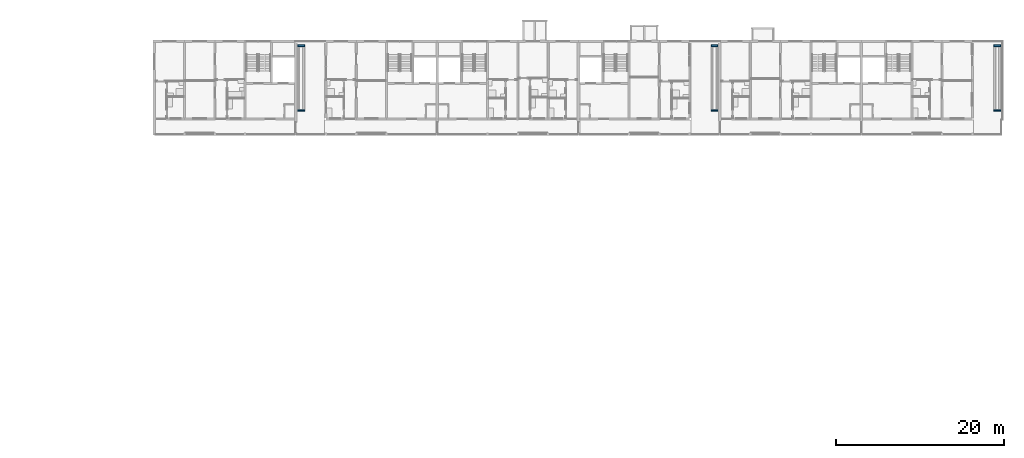
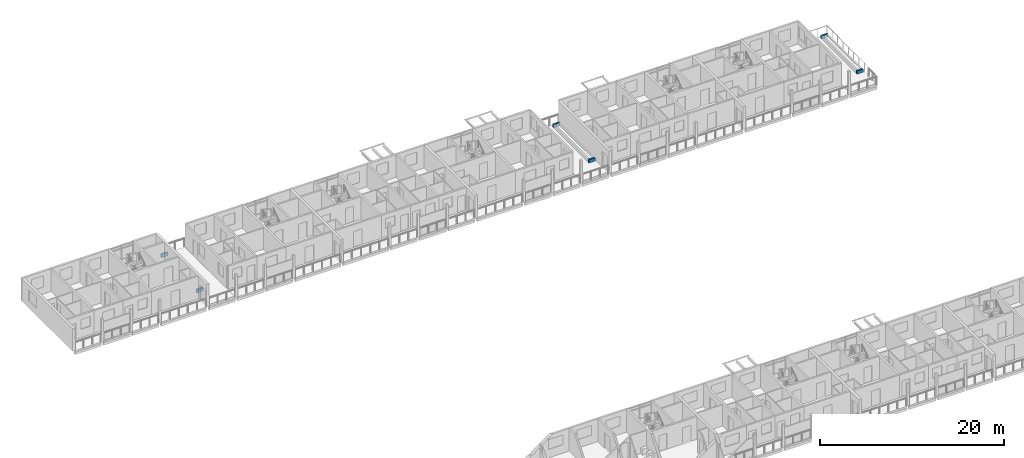
# One storey, part 59 of 94: 6 walls.
"""IFC4 building model written with IfcOpenShell, lengths in metres."""

from ifc_helpers import new_model, si_unit, direction, frame, frame_2d, origin, place, context, subcontext, project, spatial, rectangle, extrude, material, layer, layer_set, type_object, element, save


model = new_model("IFC4")

# Units and contexts
model_context = context("Model", 3, precision=1e-05, world=origin(), true_north=direction((0.0, 1.0)))
body_context = subcontext(model_context, "Body", "Model", "MODEL_VIEW")
ifc_project = project(units=[si_unit("LENGTHUNIT", "METRE"), si_unit("AREAUNIT", "SQUARE_METRE"), si_unit("VOLUMEUNIT", "CUBIC_METRE"), si_unit("PLANEANGLEUNIT", "RADIAN"), si_unit("MASSUNIT", "GRAM", prefix="KILO")], contexts=[model_context])

# Site, building, storey
site_placement = place(None, origin())
site = spatial("IfcSite", under=ifc_project, at=site_placement, CompositionType="ELEMENT")
building_placement = place(site_placement, origin())
building = spatial("IfcBuilding", under=site, at=building_placement, Name="Ridgestep Commons", CompositionType="ELEMENT")
storey_placement = place(building_placement, frame((0.0, 0.0, 21.0)))
storey = spatial("IfcBuildingStorey", under=building, at=storey_placement, Name="L07", CompositionType="ELEMENT", Elevation=21.0)

# Walls
ifc_material = material(Name="Facing brick", Category="masonry")
ifc_layer = layer(ifc_material, 0.199951171875)
ifc_layer_set = layer_set([ifc_layer], Name="Planter wall 200")
wall_type = type_object("IfcWallType", Name="Planter wall 200", PredefinedType="SOLIDWALL", material=ifc_layer_set)
for number, where, z_axis, x_axis, name in (
    (1, (163.85009765625, 68.89990234375, 0.010009765625), (0.0, 0.0, 1.0), (1.0, 0.0, 0.0), "Planter wall C2R1S"),
    (2, (163.85009765625, 76.60009765625, 0.010009765625), (0.0, 0.0, 1.0), (1.0, 0.0, 0.0), "Planter wall C2R1N"),
):
    element("IfcWall", number, at=place(storey_placement, frame(where, z_axis=z_axis, x_axis=x_axis)), inside=storey, type_object=wall_type, Name=name, PredefinedType="SOLIDWALL", context=body_context, shape_type="SweptSolid", body=[
        extrude(rectangle(XDim=0.7998046875, YDim=0.199951171875, at=frame_2d((0.39990234375, 0.0))), origin(), (0.0, 0.0, 1.0), 0.449951171875),
    ])
for number, where, z_axis, x_axis, name in (
    (3, (212.949951171875, 68.89990234375, 0.010009765625), (0.0, 0.0, 1.0), (1.0, 0.0, 0.0), "Planter wall C4R1S"),
    (4, (212.949951171875, 76.60009765625, 0.010009765625), (0.0, 0.0, 1.0), (1.0, 0.0, 0.0), "Planter wall C4R1N"),
    (5, (246.550048828125, 68.89990234375, 0.010009765625), (0.0, 0.0, 1.0), (1.0, 0.0, 0.0), "Planter wall C6R1S"),
    (6, (246.550048828125, 76.60009765625, 0.010009765625), (0.0, 0.0, 1.0), (1.0, 0.0, 0.0), "Planter wall C6R1N"),
):
    element("IfcWall", number, at=place(storey_placement, frame(where, z_axis=z_axis, x_axis=x_axis)), inside=storey, type_object=wall_type, Name=name, PredefinedType="SOLIDWALL", context=body_context, shape_type="SweptSolid", body=[
        extrude(rectangle(XDim=0.800048828125, YDim=0.199951171875, at=frame_2d((0.39990234375, 0.0))), origin(), (0.0, 0.0, 1.0), 0.449951171875),
    ])

save(model, "model.ifc")
